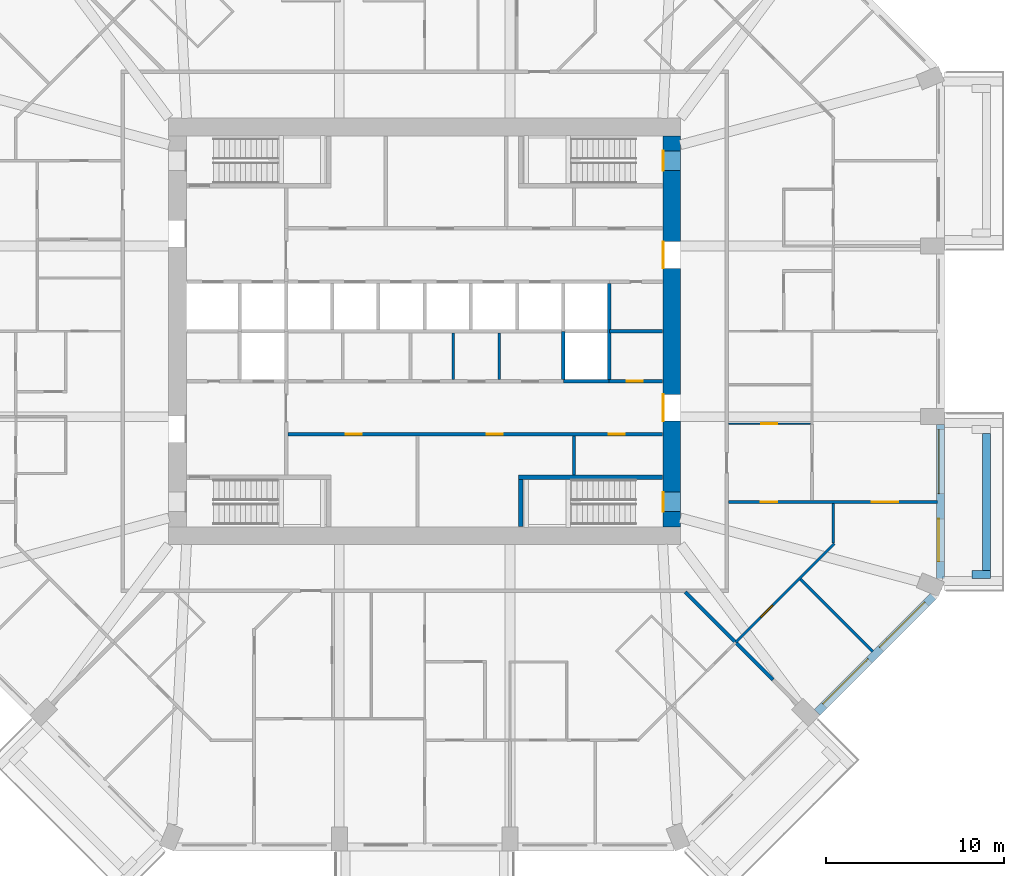
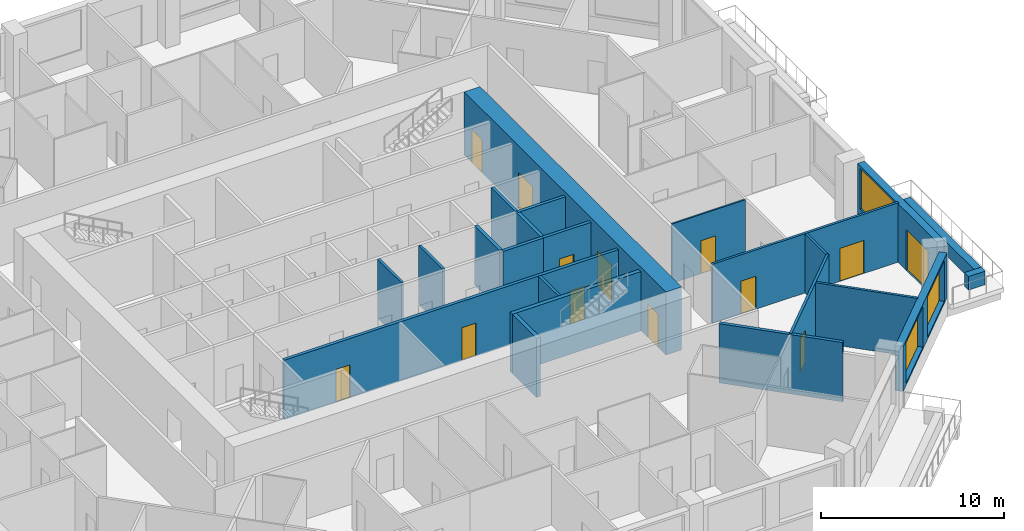
# One storey, part 6 of 13: 22 walls, 13 doors, 3 windows, 16 openings.
"""IFC4 building model written with IfcOpenShell, lengths in metres."""

import ifcopenshell
import ifcopenshell.guid

model = None  # the IFC model being written
_history = None  # IfcOwnerHistory: only IFC2X3 demands one
_inside = {}  # id of a spatial element -> (the spatial element, [elements in it])
_under = {}  # id of a project, library or spatial element -> (it, [spatial elements below it])
_declared = {}  # id of a project -> (the project, [libraries it declares])
_typed = {}  # id of a type object -> (the type object, [elements of that type])
_made_of = {}  # id of a material, layer set ... -> (it, [elements and type objects made of it])


def new_model(schema):
    """Start an empty IFC model of exactly this schema.

    Asked for "IFC4X3", IfcOpenShell would pick the latest addendum, in which some entities
    have other attributes; the version numbers below select the first issue.
    IFC2X3 requires an IfcOwnerHistory on every rooted entity: one is made here for all.
    """
    global model, _history
    if schema == "IFC4X3":
        model = ifcopenshell.file(schema_version=(4, 3, 0, 0))
    else:
        model = ifcopenshell.file(schema=schema)
    _inside.clear()
    _under.clear()
    _declared.clear()
    _typed.clear()
    _made_of.clear()
    _history = None
    if model.schema == "IFC2X3":
        org = make("IfcOrganization", Name="unknown")
        user = make(
            "IfcPersonAndOrganization",
            ThePerson=make("IfcPerson", FamilyName="unknown"),
            TheOrganization=org,
        )
        app = make(
            "IfcApplication",
            ApplicationDeveloper=org,
            Version="unknown",
            ApplicationFullName="unknown",
            ApplicationIdentifier="unknown",
        )
        _history = make(
            "IfcOwnerHistory",
            OwningUser=user,
            OwningApplication=app,
            ChangeAction="ADDED",
            CreationDate=0,
        )
    return model


def make(cls, **values):
    """One entity of the class cls with the attributes given. An attribute that is None is left unset."""
    return model.create_entity(
        cls, **{name: value for name, value in values.items() if value is not None}
    )


def rooted(cls, **values):
    """An entity with a GlobalId (a new one), such as an element, a storey or a relation."""
    return make(cls, GlobalId=ifcopenshell.guid.new(), OwnerHistory=_history, **values)


def si_unit(unit_type, name, prefix=None):
    """IfcSIUnit, for example si_unit("LENGTHUNIT", "METRE", prefix="MILLI")."""
    return make("IfcSIUnit", UnitType=unit_type, Prefix=prefix, Name=name)


def assignment(units):
    """IfcUnitAssignment: the units of a project."""
    return None if units is None else make("IfcUnitAssignment", Units=units)


def point(xyz):
    """IfcCartesianPoint."""
    return None if xyz is None else make("IfcCartesianPoint", Coordinates=xyz)


def direction(xyz):
    """IfcDirection."""
    return None if xyz is None else make("IfcDirection", DirectionRatios=xyz)


def frame(location, z_axis=None, x_axis=None):
    """IfcAxis2Placement3D, a coordinate frame: its origin and axes. An axis left out is left unset."""
    return make(
        "IfcAxis2Placement3D",
        Location=point(location),
        Axis=direction(z_axis),
        RefDirection=direction(x_axis),
    )


def frame_2d(location, x_axis=None):
    """IfcAxis2Placement2D, a coordinate frame in the plane: its origin and x axis."""
    return make(
        "IfcAxis2Placement2D", Location=point(location), RefDirection=direction(x_axis)
    )


def origin():
    """The frame at (0, 0, 0) with its axes left unset."""
    return frame((0.0, 0.0, 0.0))


def place(relative_to, where):
    """IfcLocalPlacement: puts the frame where relative to a parent placement (None: the world)."""
    return make(
        "IfcLocalPlacement", PlacementRelTo=relative_to, RelativePlacement=where
    )


def context(
    kind, dimensions, precision=None, world=None, true_north=None, identifier=None
):
    """IfcGeometricRepresentationContext, for example the 3D "Model" context."""
    return make(
        "IfcGeometricRepresentationContext",
        ContextIdentifier=identifier,
        ContextType=kind,
        CoordinateSpaceDimension=dimensions,
        Precision=precision,
        WorldCoordinateSystem=world,
        TrueNorth=true_north,
    )


def subcontext(parent, identifier, kind, view, scale=None):
    """IfcGeometricRepresentationSubContext, for example "Body" below "Model"."""
    return make(
        "IfcGeometricRepresentationSubContext",
        ContextIdentifier=identifier,
        ContextType=kind,
        ParentContext=parent,
        TargetScale=scale,
        TargetView=view,
    )


def project(units=None, contexts=None):
    """IfcProject with its units and contexts."""
    return rooted(
        "IfcProject",
        Name="project",
        RepresentationContexts=contexts,
        UnitsInContext=assignment(units),
    )


def spatial(cls, under=None, at=None, **own):
    """A site, building, storey or space (cls), placed at a placement, below another one or the project."""
    s = rooted(cls, ObjectPlacement=at, **own)
    if under is not None:
        _under.setdefault(under.id(), (under, []))[1].append(s)
    return s


def profile(cls, at=None, kind="AREA", **sizes):
    """A parametric profile (cls). Its sizes go by their IFC names, for example OverallWidth=200.0."""
    return make(cls, ProfileType=kind, Position=at, **sizes)


def rectangle(**sizes):
    """IfcRectangleProfileDef."""
    return profile("IfcRectangleProfileDef", **sizes)


def extrude(swept, where, along, depth):
    """IfcExtrudedAreaSolid: the profile swept, set in the frame where, extruded along a direction by depth."""
    return make(
        "IfcExtrudedAreaSolid",
        SweptArea=swept,
        Position=where,
        ExtrudedDirection=direction(along),
        Depth=depth,
    )


def shape(context_of_items, identifier, shape_type, items):
    """IfcShapeRepresentation: the items that make up one representation, for example the "Body"."""
    return make(
        "IfcShapeRepresentation",
        ContextOfItems=context_of_items,
        RepresentationIdentifier=identifier,
        RepresentationType=shape_type,
        Items=items,
    )


def material(Name=None, Category=None):
    """IfcMaterial."""
    return make("IfcMaterial", Name=Name, Category=Category)


def layer(
    of_material, thickness, ventilated=None, Name=None, Category=None, Priority=None
):
    """IfcMaterialLayer: one layer of a wall or slab, of a material (None: an air gap)."""
    return make(
        "IfcMaterialLayer",
        Material=of_material,
        LayerThickness=thickness,
        IsVentilated=ventilated,
        Name=Name,
        Category=Category,
        Priority=Priority,
    )


def layer_set(layers, Name=None):
    """IfcMaterialLayerSet."""
    return make("IfcMaterialLayerSet", MaterialLayers=layers, LayerSetName=Name)


def made_of(thing, what):
    """Note that an element or type object is made of a material, layer set ...; save() writes the relation."""
    if what is not None:
        _made_of.setdefault(what.id(), (what, []))[1].append(thing)
    return thing


def type_object(cls, material=None, **own):
    """A type object (cls), such as IfcWallType, which elements share."""
    return made_of(rooted(cls, **own), material)


def element(
    cls,
    number,
    at=None,
    inside=None,
    cuts=None,
    type_object=None,
    material=None,
    context=None,
    identifier="Body",
    shape_type=None,
    held_by="IfcProductDefinitionShape",
    body=None,
    shapes=None,
    **own,
):
    """One element of the class cls, such as IfcWall. Its Tag is "e" and its number.

    at: its placement. inside: the storey or other place that contains it. cuts: it is an
    opening in that element (IfcRelVoidsElement). A single representation is given by context,
    identifier, shape_type and body (its items); several are given by shapes. held_by: the class
    of the entity that holds the representations. save() writes the other relations.
    """
    e = rooted(cls, Tag="e%d" % number, ObjectPlacement=at, **own)
    if body is not None:
        shapes = [shape(context, identifier, shape_type, body)]
    if shapes is not None:
        e.Representation = make(held_by, Representations=shapes)
    if inside is not None:
        _inside.setdefault(inside.id(), (inside, []))[1].append(e)
    if cuts is not None:
        rooted(
            "IfcRelVoidsElement", RelatingBuildingElement=cuts, RelatedOpeningElement=e
        )
    if type_object is not None:
        _typed.setdefault(type_object.id(), (type_object, []))[1].append(e)
    return made_of(e, material)


def fill(opening, filler):
    """IfcRelFillsElement: the door or window that sits in an opening."""
    return rooted(
        "IfcRelFillsElement",
        RelatingOpeningElement=opening,
        RelatedBuildingElement=filler,
    )


def aggregate(whole, parts):
    """IfcRelAggregates: a whole, such as a stair, and the parts it consists of."""
    return rooted("IfcRelAggregates", RelatingObject=whole, RelatedObjects=parts)


def save(model, path):
    """Write the relations noted so far, then the file.

    IfcRelAggregates (storeys below a building ...), IfcRelContainedInSpatialStructure (elements
    in a storey), IfcRelDefinesByType, IfcRelAssociatesMaterial and IfcRelDeclares: one each for
    every whole, place, type object, material and project.
    """
    for whole, parts in _under.values():
        aggregate(whole, parts)
    for where, things in _inside.values():
        rooted(
            "IfcRelContainedInSpatialStructure",
            RelatedElements=things,
            RelatingStructure=where,
        )
    for kind, things in _typed.values():
        rooted("IfcRelDefinesByType", RelatedObjects=things, RelatingType=kind)
    for what, things in _made_of.values():
        rooted("IfcRelAssociatesMaterial", RelatedObjects=things, RelatingMaterial=what)
    for by, libraries in _declared.values():
        rooted("IfcRelDeclares", RelatingContext=by, RelatedDefinitions=libraries)
    model.write(path)


model = new_model("IFC4")

# Units and contexts
model_context = context("Model", 3, precision=1e-05, world=origin(), true_north=direction((0.0, 1.0)))
body_context = subcontext(model_context, "Body", "Model", "MODEL_VIEW")
ifc_project = project(units=[si_unit("LENGTHUNIT", "METRE"), si_unit("AREAUNIT", "SQUARE_METRE"), si_unit("VOLUMEUNIT", "CUBIC_METRE"), si_unit("PLANEANGLEUNIT", "RADIAN"), si_unit("MASSUNIT", "GRAM", prefix="KILO")], contexts=[model_context])

# Site, building, storey
site_placement = place(None, origin())
site = spatial("IfcSite", under=ifc_project, at=site_placement, CompositionType="ELEMENT")
building_placement = place(site_placement, origin())
building = spatial("IfcBuilding", under=site, at=building_placement, Name="Msitu Wima Residences", CompositionType="ELEMENT")
storey_placement = place(building_placement, frame((0.0, 0.0, 29.699951171875)))
storey = spatial("IfcBuildingStorey", under=building, at=storey_placement, Name="L06", CompositionType="ELEMENT", Elevation=29.699951171875)

# Walls
ifc_material_1 = material(Name="Facing brick")
ifc_layer_1 = layer(ifc_material_1, 0.06494140625, Name="Facing brick")
ifc_material_2 = material(Name="Concrete C40/50", Category="concrete")
ifc_layer_2 = layer(ifc_material_2, 0.156005859375, Name="Concrete C40/50")
ifc_material_3 = material(Name="Waterproofing membrane")
ifc_layer_3 = layer(ifc_material_3, 0.00390625, Name="Waterproofing membrane")
ifc_material_4 = material(Name="Planting soil and planting")
ifc_layer_4 = layer(ifc_material_4, 0.22509765625, Name="Planting soil and planting")
ifc_layer_set_1 = layer_set([ifc_layer_1, ifc_layer_2, ifc_layer_3, ifc_layer_4], Name="Concrete C40/50")
wall_type_1 = type_object("IfcWallType", Name="Balcony planter PLANTER PL450", PredefinedType="USERDEFINED", material=ifc_layer_set_1)
wall_1_placement = place(storey_placement, frame((31.625, -13.449951171875, 0.0), z_axis=(0.0, 0.0, 1.0), x_axis=(0.0, 1.0, 0.0)))
element("IfcWall", 1, at=wall_1_placement, inside=storey, type_object=wall_type_1, Name="Balcony planter E0 L06", ObjectType="PLANTER", PredefinedType="USERDEFINED", context=body_context, shape_type="SweptSolid", body=[
    extrude(rectangle(XDim=7.699951171875, YDim=0.449951171875, at=frame_2d((3.85009765625, 0.0))), origin(), (0.0, 0.0, 1.0), 0.900146484375),
])
wall_2_placement = place(storey_placement, frame((30.800048828125, -13.675048828125, 0.0), z_axis=(0.0, 0.0, 1.0), x_axis=(1.0, 0.0, 0.0)))
element("IfcWall", 2, at=wall_2_placement, inside=storey, type_object=wall_type_1, Name="Balcony planter E0 L06", ObjectType="PLANTER", PredefinedType="USERDEFINED", context=body_context, shape_type="SweptSolid", body=[
    extrude(rectangle(XDim=1.050048828125, YDim=0.449951171875, at=frame_2d((0.52490234375, 0.0))), origin(), (0.0, 0.0, 1.0), 0.900146484375),
])

# Wall, openings, door, window
ifc_material_5 = material(Name="Brick (red buff mix)", Category="masonry")
ifc_layer_5 = layer(ifc_material_5, 0.449951171875)
ifc_layer_set_2 = layer_set([ifc_layer_5], Name="Brick (red buff mix)")
wall_type_2 = type_object("IfcWallType", Name="Brick infill wall BW450", PredefinedType="SOLIDWALL", material=ifc_layer_set_2)
wall_3_placement = place(storey_placement, frame((29.02490234375, -13.912841796875, 0.0), z_axis=(0.0, 0.0, 1.0), x_axis=(0.0, 1.0, 0.0)))
wall_3 = element("IfcWall", 3, at=wall_3_placement, inside=storey, type_object=wall_type_2, Name="Brick infill wall L06 E0", PredefinedType="SOLIDWALL", context=body_context, shape_type="SweptSolid", body=[
    extrude(rectangle(XDim=8.662841796875, YDim=0.449951171875, at=frame_2d((4.33154296875, 0.0))), origin(), (0.0, 0.0, 1.0), 3.900146484375),
])
opening_1_placement = place(wall_3_placement, frame((0.9658203125, 0.0, 0.0)))
opening_1 = element("IfcOpeningElement", 4, at=opening_1_placement, cuts=wall_3, Name="Opening D05-07.001", PredefinedType="OPENING", context=body_context, shape_type="SweptSolid", body=[
    extrude(rectangle(XDim=2.39990234375, YDim=2.699951171875, at=frame_2d((1.199951171875, 1.35009765625))), frame((0.0, 0.23486328125, 0.0), z_axis=(0.0, -1.0, 0.0), x_axis=(1.0, 0.0, 0.0)), (0.0, 0.0, 1.0), 0.469970703125),
])
opening_2_placement = place(wall_3_placement, frame((4.781494140625, 0.0, 1.050048828125)))
opening_2 = element("IfcOpeningElement", 5, at=opening_2_placement, cuts=wall_3, Name="Opening W05-07.001", PredefinedType="OPENING", context=body_context, shape_type="SweptSolid", body=[
    extrude(rectangle(XDim=3.60009765625, YDim=2.699951171875, at=frame_2d((1.800048828125, 1.35009765625))), frame((0.0, 0.23486328125, 0.0), z_axis=(0.0, -1.0, 0.0), x_axis=(1.0, 0.0, 0.0)), (0.0, 0.0, 1.0), 0.469970703125),
])
ifc_material_6 = material(Name="Anodised aluminium, bronze finish, clear low-emissivity double glazing", Category="aluminium")
door_type_1 = type_object("IfcDoorType", Name="Balcony door D2400x2700", OperationType="SLIDING_TO_LEFT", PredefinedType="DOOR", material=ifc_material_6)
door_1_placement = place(opening_1_placement, origin())
door_1 = element("IfcDoor", 6, at=door_1_placement, inside=storey, type_object=door_type_1, Name="Balcony door L06 E0", OperationType="SINGLE_SWING_LEFT", OverallHeight=2.699951171875, OverallWidth=2.39990234375, PredefinedType="DOOR", context=body_context, shape_type="SweptSolid", body=[
    extrude(rectangle(XDim=2.39990234375, YDim=2.699951171875, at=frame_2d((1.199951171875, 1.35009765625))), frame((0.0, 0.1298828125, 0.0), z_axis=(0.0, -1.0, 0.0), x_axis=(1.0, 0.0, 0.0)), (0.0, 0.0, 1.0), 0.050048828125),
])
fill(opening_1, door_1)
window_type = type_object("IfcWindowType", Name="Window W3600x2700", PartitioningType="DOUBLE_PANEL_VERTICAL", PredefinedType="WINDOW", material=ifc_material_6)
window_1_placement = place(opening_2_placement, origin())
window_1 = element("IfcWindow", 7, at=window_1_placement, inside=storey, type_object=window_type, Name="Window L06 E0.2", OverallHeight=2.699951171875, OverallWidth=3.60009765625, PartitioningType="SINGLE_PANEL", PredefinedType="WINDOW", context=body_context, shape_type="SweptSolid", body=[
    extrude(rectangle(XDim=3.60009765625, YDim=2.699951171875, at=frame_2d((1.800048828125, 1.35009765625))), frame((0.0, 0.135009765625, 0.0), z_axis=(0.0, -1.0, 0.0), x_axis=(1.0, 0.0, 0.0)), (0.0, 0.0, 1.0), 0.06005859375),
])
fill(opening_2, window_1)

# Wall, openings, windows
wall_4_placement = place(storey_placement, frame((22.077392578125, -21.44091796875, 0.900146484375), z_axis=(0.0, 0.0, 1.0), x_axis=(0.707106781187, 0.707106781187, 0.0)))
wall_4 = element("IfcWall", 8, at=wall_4_placement, inside=storey, type_object=wall_type_2, Name="Brick infill wall L06 SE1", PredefinedType="SOLIDWALL", context=body_context, shape_type="SweptSolid", body=[
    extrude(rectangle(XDim=9.2451171875, YDim=0.449951171875, at=frame_2d((4.62255859375, 0.0))), origin(), (0.0, 0.0, 1.0), 3.0),
])
opening_3_placement = place(wall_4_placement, frame((0.572509765625, 0.0, 0.14990234375)))
opening_3 = element("IfcOpeningElement", 9, at=opening_3_placement, cuts=wall_4, Name="Opening W05-07.022", PredefinedType="OPENING", context=body_context, shape_type="SweptSolid", body=[
    extrude(rectangle(XDim=3.60009765625, YDim=2.699951171875, at=frame_2d((1.800048828125, 1.35009765625))), frame((0.0, 0.23486328125, 0.0), z_axis=(0.0, -1.0, 0.0), x_axis=(1.0, 0.0, 0.0)), (0.0, 0.0, 1.0), 0.469970703125),
])
opening_4_placement = place(wall_4_placement, frame((5.072509765625, 0.0, 0.14990234375)))
opening_4 = element("IfcOpeningElement", 10, at=opening_4_placement, cuts=wall_4, Name="Opening W05-07.023", PredefinedType="OPENING", context=body_context, shape_type="SweptSolid", body=[
    extrude(rectangle(XDim=3.60009765625, YDim=2.699951171875, at=frame_2d((1.800048828125, 1.35009765625))), frame((0.0, 0.23486328125, 0.0), z_axis=(0.0, -1.0, 0.0), x_axis=(1.0, 0.0, 0.0)), (0.0, 0.0, 1.0), 0.469970703125),
])
window_2_placement = place(opening_3_placement, origin())
window_2 = element("IfcWindow", 11, at=window_2_placement, inside=storey, type_object=window_type, Name="Window L06 SE1.1", OverallHeight=2.699951171875, OverallWidth=3.60009765625, PartitioningType="SINGLE_PANEL", PredefinedType="WINDOW", context=body_context, shape_type="SweptSolid", body=[
    extrude(rectangle(XDim=3.60009765625, YDim=2.699951171875, at=frame_2d((1.800048828125, 1.35009765625))), frame((0.0, 0.135009765625, 0.0), z_axis=(0.0, -1.0, 0.0), x_axis=(1.0, 0.0, 0.0)), (0.0, 0.0, 1.0), 0.06005859375),
])
fill(opening_3, window_2)
window_3_placement = place(opening_4_placement, origin())
window_3 = element("IfcWindow", 12, at=window_3_placement, inside=storey, type_object=window_type, Name="Window L06 SE1.2", OverallHeight=2.699951171875, OverallWidth=3.60009765625, PartitioningType="SINGLE_PANEL", PredefinedType="WINDOW", context=body_context, shape_type="SweptSolid", body=[
    extrude(rectangle(XDim=3.60009765625, YDim=2.699951171875, at=frame_2d((1.800048828125, 1.35009765625))), frame((0.0, 0.135009765625, 0.0), z_axis=(0.0, -1.0, 0.0), x_axis=(1.0, 0.0, 0.0)), (0.0, 0.0, 1.0), 0.06005859375),
])
fill(opening_4, window_3)

# Wall, openings, doors
ifc_material_7 = material(Name="Concrete C80/95", Category="concrete")
ifc_layer_6 = layer(ifc_material_7, 1.0)
ifc_layer_set_3 = layer_set([ifc_layer_6], Name="Concrete C80/95")
wall_type_3 = type_object("IfcWallType", Name="Core wall CW1000 C80/95", PredefinedType="SHEAR", material=ifc_layer_set_3)
wall_5_placement = place(storey_placement, frame((13.89990234375, -11.0, 0.0), z_axis=(0.0, 0.0, 1.0), x_axis=(0.0, 1.0, 0.0)))
wall_5 = element("IfcWall", 13, at=wall_5_placement, inside=storey, type_object=wall_type_3, Name="Core wall", PredefinedType="SHEAR", context=body_context, shape_type="SweptSolid", body=[
    extrude(rectangle(XDim=22.0, YDim=1.0, at=frame_2d((11.0, 0.0))), origin(), (0.0, 0.0, 1.0), 4.199951171875),
])
opening_5_placement = place(wall_5_placement, frame((20.050048828125, 0.0, 0.0)))
opening_5 = element("IfcOpeningElement", 14, at=opening_5_placement, cuts=wall_5, Name="Opening D05-07.040", PredefinedType="OPENING", context=body_context, shape_type="SweptSolid", body=[
    extrude(rectangle(XDim=1.10009765625, YDim=2.199951171875, at=frame_2d((0.550048828125, 1.10009765625))), frame((0.0, 0.510009765625, 0.0), z_axis=(0.0, -1.0, 0.0), x_axis=(1.0, 0.0, 0.0)), (0.0, 0.0, 1.0), 1.02001953125),
])
opening_6_placement = place(wall_5_placement, frame((0.85009765625, 0.0, 0.0)))
opening_6 = element("IfcOpeningElement", 15, at=opening_6_placement, cuts=wall_5, Name="Opening D05-07.041", PredefinedType="OPENING", context=body_context, shape_type="SweptSolid", body=[
    extrude(rectangle(XDim=1.10009765625, YDim=2.199951171875, at=frame_2d((0.550048828125, 1.10009765625))), frame((0.0, 0.510009765625, 0.0), z_axis=(0.0, -1.0, 0.0), x_axis=(1.0, 0.0, 0.0)), (0.0, 0.0, 1.0), 1.02001953125),
])
opening_7_placement = place(wall_5_placement, frame((14.550048828125, 0.0, 0.0)))
opening_7 = element("IfcOpeningElement", 16, at=opening_7_placement, cuts=wall_5, Name="Opening D05-07.027", PredefinedType="OPENING", context=body_context, shape_type="SweptSolid", body=[
    extrude(rectangle(XDim=1.5, YDim=2.39990234375, at=frame_2d((0.75, 1.199951171875))), frame((0.0, 0.510009765625, 0.0), z_axis=(0.0, -1.0, 0.0), x_axis=(1.0, 0.0, 0.0)), (0.0, 0.0, 1.0), 1.02001953125),
])
opening_8_placement = place(wall_5_placement, frame((5.949951171875, 0.0, 0.0)))
opening_8 = element("IfcOpeningElement", 17, at=opening_8_placement, cuts=wall_5, Name="Opening D05-07.028", PredefinedType="OPENING", context=body_context, shape_type="SweptSolid", body=[
    extrude(rectangle(XDim=1.5, YDim=2.39990234375, at=frame_2d((0.75, 1.199951171875))), frame((0.0, 0.510009765625, 0.0), z_axis=(0.0, -1.0, 0.0), x_axis=(1.0, 0.0, 0.0)), (0.0, 0.0, 1.0), 1.02001953125),
])
ifc_material_8 = material(Name="Steel framed glazed door, fire resisting", Category="steel")
door_type_2 = type_object("IfcDoorType", Name="Lobby door D07 1500x2400", OperationType="DOUBLE_DOOR_SINGLE_SWING", PredefinedType="DOOR", material=ifc_material_8)
door_2_placement = place(opening_7_placement, origin())
door_2 = element("IfcDoor", 18, at=door_2_placement, inside=storey, type_object=door_type_2, Name="Lobby door", OperationType="DOUBLE_DOOR_SINGLE_SWING", OverallHeight=2.39990234375, OverallWidth=1.5, PredefinedType="DOOR", context=body_context, shape_type="SweptSolid", body=[
    extrude(rectangle(XDim=1.5, YDim=2.39990234375, at=frame_2d((0.75, 1.199951171875))), frame((0.0, 0.4951171875, 0.0), z_axis=(0.0, -1.0, 0.0), x_axis=(1.0, 0.0, 0.0)), (0.0, 0.0, 1.0), 0.050048828125),
])
fill(opening_7, door_2)
door_3_placement = place(opening_8_placement, origin())
door_3 = element("IfcDoor", 19, at=door_3_placement, inside=storey, type_object=door_type_2, Name="Lobby door", OperationType="DOUBLE_DOOR_SINGLE_SWING", OverallHeight=2.39990234375, OverallWidth=1.5, PredefinedType="DOOR", context=body_context, shape_type="SweptSolid", body=[
    extrude(rectangle(XDim=1.5, YDim=2.39990234375, at=frame_2d((0.75, 1.199951171875))), frame((0.0, 0.4951171875, 0.0), z_axis=(0.0, -1.0, 0.0), x_axis=(1.0, 0.0, 0.0)), (0.0, 0.0, 1.0), 0.050048828125),
])
fill(opening_8, door_3)
ifc_material_9 = material(Name="Steel door, fire resisting, panic bar", Category="steel")
door_type_3 = type_object("IfcDoorType", Name="Stair door D06 1100x2200", OperationType="SINGLE_SWING_LEFT", PredefinedType="DOOR", material=ifc_material_9)
door_4_placement = place(opening_5_placement, origin())
door_4 = element("IfcDoor", 20, at=door_4_placement, inside=storey, type_object=door_type_3, Name="Stair door", OperationType="SINGLE_SWING_LEFT", OverallHeight=2.199951171875, OverallWidth=1.10009765625, PredefinedType="DOOR", context=body_context, shape_type="SweptSolid", body=[
    extrude(rectangle(XDim=1.10009765625, YDim=2.199951171875, at=frame_2d((0.550048828125, 1.10009765625))), frame((0.0, 0.4951171875, 0.0), z_axis=(0.0, -1.0, 0.0), x_axis=(1.0, 0.0, 0.0)), (0.0, 0.0, 1.0), 0.050048828125),
])
fill(opening_5, door_4)
door_5_placement = place(opening_6_placement, origin())
door_5 = element("IfcDoor", 21, at=door_5_placement, inside=storey, type_object=door_type_3, Name="Stair door", OperationType="SINGLE_SWING_RIGHT", OverallHeight=2.199951171875, OverallWidth=1.10009765625, PredefinedType="DOOR", context=body_context, shape_type="SweptSolid", body=[
    extrude(rectangle(XDim=1.10009765625, YDim=2.199951171875, at=frame_2d((0.550048828125, 1.10009765625))), frame((0.0, 0.4951171875, 0.0), z_axis=(0.0, -1.0, 0.0), x_axis=(1.0, 0.0, 0.0)), (0.0, 0.0, 1.0), 0.050048828125),
])
fill(opening_6, door_5)

ifc_material_10 = material(Name="Plaster")
ifc_layer_7 = layer(ifc_material_10, 0.011962890625, Name="Plaster")
ifc_material_11 = material(Name="Concrete blockwork", Category="masonry")
ifc_layer_8 = layer(ifc_material_11, 0.176025390625, Name="Concrete blockwork")
ifc_layer_9 = layer(ifc_material_10, 0.011962890625, Name="Plaster")
ifc_layer_set_4 = layer_set([ifc_layer_7, ifc_layer_8, ifc_layer_9], Name="Concrete blockwork")
wall_type_4 = type_object("IfcWallType", Name="Corridor wall FW200", PredefinedType="PARTITIONING", material=ifc_layer_set_4)
wall_6_placement = place(storey_placement, frame((-7.699951171875, -5.800048828125, 0.0), z_axis=(0.0, 0.0, 1.0), x_axis=(1.0, 0.0, 0.0)))
wall_6 = element("IfcWall", 22, at=wall_6_placement, inside=storey, type_object=wall_type_4, Name="Corridor wall", PredefinedType="PARTITIONING", context=body_context, shape_type="SweptSolid", body=[
    extrude(rectangle(XDim=21.070068359375, YDim=0.199951171875, at=frame_2d((10.53515625, 0.0))), origin(), (0.0, 0.0, 1.0), 3.949951171875),
])
opening_9_placement = place(wall_6_placement, frame((3.25, 0.0, 0.0)))
opening_9 = element("IfcOpeningElement", 23, at=opening_9_placement, cuts=wall_6, Name="Opening D05-07.024", PredefinedType="OPENING", context=body_context, shape_type="SweptSolid", body=[
    extrude(rectangle(XDim=0.89990234375, YDim=2.199951171875, at=frame_2d((0.449951171875, 1.10009765625))), frame((0.0, 0.10986328125, 0.0), z_axis=(0.0, -1.0, 0.0), x_axis=(1.0, 0.0, 0.0)), (0.0, 0.0, 1.0), 0.219970703125),
])
opening_10_placement = place(wall_6_placement, frame((11.199951171875, 0.0, 0.0)))
opening_10 = element("IfcOpeningElement", 24, at=opening_10_placement, cuts=wall_6, Name="Opening D05-07.025", PredefinedType="OPENING", context=body_context, shape_type="SweptSolid", body=[
    extrude(rectangle(XDim=0.89990234375, YDim=2.199951171875, at=frame_2d((0.449951171875, 1.10009765625))), frame((0.0, 0.10986328125, 0.0), z_axis=(0.0, -1.0, 0.0), x_axis=(1.0, 0.0, 0.0)), (0.0, 0.0, 1.0), 0.219970703125),
])
opening_11_placement = place(wall_6_placement, frame((18.050048828125, 0.0, 0.0)))
opening_11 = element("IfcOpeningElement", 25, at=opening_11_placement, cuts=wall_6, Name="Opening D05-07.026", PredefinedType="OPENING", context=body_context, shape_type="SweptSolid", body=[
    extrude(rectangle(XDim=0.89990234375, YDim=2.199951171875, at=frame_2d((0.449951171875, 1.10009765625))), frame((0.0, 0.10986328125, 0.0), z_axis=(0.0, -1.0, 0.0), x_axis=(1.0, 0.0, 0.0)), (0.0, 0.0, 1.0), 0.219970703125),
])
ifc_material_12 = material(Name="Timber flush door", Category="wood")
door_type_4 = type_object("IfcDoorType", Name="Service door D05 900x2200", OperationType="SINGLE_SWING_LEFT", PredefinedType="DOOR", material=ifc_material_12)
door_6_placement = place(opening_9_placement, origin())
door_6 = element("IfcDoor", 26, at=door_6_placement, inside=storey, type_object=door_type_4, Name="Service door", OperationType="SINGLE_SWING_RIGHT", OverallHeight=2.199951171875, OverallWidth=0.89990234375, PredefinedType="DOOR", context=body_context, shape_type="SweptSolid", body=[
    extrude(rectangle(XDim=0.89990234375, YDim=2.199951171875, at=frame_2d((0.449951171875, 1.10009765625))), frame((0.0, 0.02490234375, 0.0), z_axis=(0.0, -1.0, 0.0), x_axis=(1.0, 0.0, 0.0)), (0.0, 0.0, 1.0), 0.050048828125),
])
fill(opening_9, door_6)
door_7_placement = place(opening_10_placement, origin())
door_7 = element("IfcDoor", 27, at=door_7_placement, inside=storey, type_object=door_type_4, Name="Service door", OperationType="SINGLE_SWING_LEFT", OverallHeight=2.199951171875, OverallWidth=0.89990234375, PredefinedType="DOOR", context=body_context, shape_type="SweptSolid", body=[
    extrude(rectangle(XDim=0.89990234375, YDim=2.199951171875, at=frame_2d((0.449951171875, 1.10009765625))), frame((0.0, 0.02490234375, 0.0), z_axis=(0.0, -1.0, 0.0), x_axis=(1.0, 0.0, 0.0)), (0.0, 0.0, 1.0), 0.050048828125),
])
fill(opening_10, door_7)
door_8_placement = place(opening_11_placement, origin())
door_8 = element("IfcDoor", 28, at=door_8_placement, inside=storey, type_object=door_type_4, Name="Service door", OperationType="SINGLE_SWING_RIGHT", OverallHeight=2.199951171875, OverallWidth=0.89990234375, PredefinedType="DOOR", context=body_context, shape_type="SweptSolid", body=[
    extrude(rectangle(XDim=0.89990234375, YDim=2.199951171875, at=frame_2d((0.449951171875, 1.10009765625))), frame((0.0, 0.02490234375, 0.0), z_axis=(0.0, -1.0, 0.0), x_axis=(1.0, 0.0, 0.0)), (0.0, 0.0, 1.0), 0.050048828125),
])
fill(opening_11, door_8)

# Walls
ifc_layer_10 = layer(ifc_material_10, 0.011962890625, Name="Plaster")
ifc_layer_11 = layer(ifc_material_11, 0.1259765625, Name="Concrete blockwork")
ifc_layer_12 = layer(ifc_material_10, 0.011962890625, Name="Plaster")
ifc_layer_set_5 = layer_set([ifc_layer_10, ifc_layer_11, ifc_layer_12], Name="Concrete blockwork")
wall_type_5 = type_object("IfcWallType", Name="Partition PW150", PredefinedType="PARTITIONING", material=ifc_layer_set_5)
for number, where, z_axis, x_axis, name in (
    (29, (1.60009765625, -2.699951171875, 0.0), (0.0, 0.0, 1.0), (0.0, 1.0, 0.0), "Partition"),
    (30, (4.199951171875, -2.699951171875, 0.0), (0.0, 0.0, 1.0), (0.0, 1.0, 0.0), "Partition"),
):
    element("IfcWall", number, at=place(storey_placement, frame(where, z_axis=z_axis, x_axis=x_axis)), inside=storey, type_object=wall_type_5, Name=name, PredefinedType="PARTITIONING", context=body_context, shape_type="SweptSolid", body=[
        extrude(rectangle(XDim=2.599853515625, YDim=0.14990234375, at=frame_2d((1.2998046875, 0.0))), origin(), (0.0, 0.0, 1.0), 3.949951171875),
    ])
wall_7_placement = place(storey_placement, frame((8.39990234375, -8.074951171875, 0.0), z_axis=(0.0, 0.0, 1.0), x_axis=(0.0, 1.0, 0.0)))
element("IfcWall", 31, at=wall_7_placement, inside=storey, type_object=wall_type_5, Name="Partition", PredefinedType="PARTITIONING", context=body_context, shape_type="SweptSolid", body=[
    extrude(rectangle(XDim=2.175048828125, YDim=0.14990234375, at=frame_2d((1.08740234375, 0.0))), origin(), (0.0, 0.0, 1.0), 3.949951171875),
])

# Wall, openings, doors
wall_8_placement = place(storey_placement, frame((17.10009765625, -9.60009765625, 0.0), z_axis=(0.0, 0.0, 1.0), x_axis=(1.0, 0.0, 0.0)))
wall_8 = element("IfcWall", 32, at=wall_8_placement, inside=storey, type_object=wall_type_5, Name="Partition", PredefinedType="PARTITIONING", context=body_context, shape_type="SweptSolid", body=[
    extrude(rectangle(XDim=11.7548828125, YDim=0.14990234375, at=frame_2d((5.87744140625, 0.0))), origin(), (0.0, 0.0, 1.0), 3.949951171875),
])
opening_12_placement = place(wall_8_placement, frame((1.800048828125, 0.0, 0.0)))
opening_12 = element("IfcOpeningElement", 33, at=opening_12_placement, cuts=wall_8, Name="Opening D05-07.042", PredefinedType="OPENING", context=body_context, shape_type="SweptSolid", body=[
    extrude(rectangle(XDim=0.949951171875, YDim=2.199951171875, at=frame_2d((0.47509765625, 1.10009765625))), frame((0.0, 0.0849609375, 0.0), z_axis=(0.0, -1.0, 0.0), x_axis=(1.0, 0.0, 0.0)), (0.0, 0.0, 1.0), 0.169921875),
])
opening_13_placement = place(wall_8_placement, frame((8.050048828125, 0.0, 0.0)))
opening_13 = element("IfcOpeningElement", 34, at=opening_13_placement, cuts=wall_8, Name="Opening D05-07.095", PredefinedType="OPENING", context=body_context, shape_type="SweptSolid", body=[
    extrude(rectangle(XDim=1.5, YDim=2.199951171875, at=frame_2d((0.75, 1.10009765625))), frame((0.0, 0.0849609375, 0.0), z_axis=(0.0, -1.0, 0.0), x_axis=(1.0, 0.0, 0.0)), (0.0, 0.0, 1.0), 0.169921875),
])
ifc_material_13 = material(Name="Timber double door", Category="wood")
door_type_5 = type_object("IfcDoorType", Name="Double door D04 1500x2200", OperationType="DOUBLE_DOOR_SINGLE_SWING", PredefinedType="DOOR", material=ifc_material_13)
door_9_placement = place(opening_13_placement, origin())
door_9 = element("IfcDoor", 35, at=door_9_placement, inside=storey, type_object=door_type_5, Name="Double door", OperationType="DOUBLE_DOOR_SINGLE_SWING", OverallHeight=2.199951171875, OverallWidth=1.5, PredefinedType="DOOR", context=body_context, shape_type="SweptSolid", body=[
    extrude(rectangle(XDim=1.5, YDim=2.199951171875, at=frame_2d((0.75, 1.10009765625))), frame((0.0, 0.02490234375, 0.0), z_axis=(0.0, -1.0, 0.0), x_axis=(1.0, 0.0, 0.0)), (0.0, 0.0, 1.0), 0.050048828125),
])
fill(opening_13, door_9)
door_type_6 = type_object("IfcDoorType", Name="Room door D12 950x2200", OperationType="SINGLE_SWING_LEFT", PredefinedType="DOOR", material=ifc_material_12)
door_10_placement = place(opening_12_placement, origin())
door_10 = element("IfcDoor", 36, at=door_10_placement, inside=storey, type_object=door_type_6, Name="Room door", OperationType="SINGLE_SWING_RIGHT", OverallHeight=2.199951171875, OverallWidth=0.949951171875, PredefinedType="DOOR", context=body_context, shape_type="SweptSolid", body=[
    extrude(rectangle(XDim=0.949951171875, YDim=2.199951171875, at=frame_2d((0.47509765625, 1.10009765625))), frame((0.0, 0.02490234375, 0.0), z_axis=(0.0, -1.0, 0.0), x_axis=(1.0, 0.0, 0.0)), (0.0, 0.0, 1.0), 0.050048828125),
])
fill(opening_12, door_10)

# Wall, opening, door
wall_9_placement = place(storey_placement, frame((17.498779296875, -17.498779296875, 0.0), z_axis=(0.0, 0.0, 1.0), x_axis=(0.707106781187, 0.707106781187, 0.0)))
wall_9 = element("IfcWall", 37, at=wall_9_placement, inside=storey, type_object=wall_type_5, Name="Partition", PredefinedType="PARTITIONING", context=body_context, shape_type="SweptSolid", body=[
    extrude(rectangle(XDim=7.854736328125, YDim=0.14990234375, at=frame_2d((3.92724609375, 0.0))), origin(), (0.0, 0.0, 1.0), 3.949951171875),
])
opening_14_placement = place(wall_9_placement, frame((2.0, 0.0, 0.0)))
opening_14 = element("IfcOpeningElement", 38, at=opening_14_placement, cuts=wall_9, Name="Opening D05-07.086", PredefinedType="OPENING", context=body_context, shape_type="SweptSolid", body=[
    extrude(rectangle(XDim=0.949951171875, YDim=2.199951171875, at=frame_2d((0.47509765625, 1.10009765625))), frame((0.0, 0.0849609375, 0.0), z_axis=(0.0, -1.0, 0.0), x_axis=(1.0, 0.0, 0.0)), (0.0, 0.0, 1.0), 0.169921875),
])
door_11_placement = place(opening_14_placement, origin())
door_11 = element("IfcDoor", 39, at=door_11_placement, inside=storey, type_object=door_type_6, Name="Room door", OperationType="SINGLE_SWING_RIGHT", OverallHeight=2.199951171875, OverallWidth=0.949951171875, PredefinedType="DOOR", context=body_context, shape_type="SweptSolid", body=[
    extrude(rectangle(XDim=0.949951171875, YDim=2.199951171875, at=frame_2d((0.47509765625, 1.10009765625))), frame((0.0, 0.02490234375, 0.0), z_axis=(0.0, -1.0, 0.0), x_axis=(1.0, 0.0, 0.0)), (0.0, 0.0, 1.0), 0.050048828125),
])
fill(opening_14, door_11)

# Walls
wall_10_placement = place(storey_placement, frame((21.15185546875, -13.951904296875, 0.0), z_axis=(0.0, 0.0, 1.0), x_axis=(0.707128010843, -0.707085550893, 0.0)))
element("IfcWall", 40, at=wall_10_placement, inside=storey, type_object=wall_type_5, Name="Partition", PredefinedType="PARTITIONING", context=body_context, shape_type="SweptSolid", body=[
    extrude(rectangle(XDim=5.75, YDim=0.14990234375, at=frame_2d((2.875, 0.0))), origin(), (0.0, 0.0, 1.0), 3.949951171875),
])
wall_11_placement = place(storey_placement, frame((23.0, -11.922607421875, 0.0), z_axis=(0.0, 0.0, 1.0), x_axis=(0.0, 1.0, 0.0)))
element("IfcWall", 41, at=wall_11_placement, inside=storey, type_object=wall_type_5, Name="Partition", PredefinedType="PARTITIONING", context=body_context, shape_type="SweptSolid", body=[
    extrude(rectangle(XDim=2.24755859375, YDim=0.14990234375, at=frame_2d((1.123779296875, 0.0))), origin(), (0.0, 0.0, 1.0), 3.949951171875),
])
ifc_layer_13 = layer(ifc_material_10, 0.011962890625, Name="Plaster")
ifc_material_14 = material(Name="Dense concrete blockwork", Category="masonry")
ifc_layer_14 = layer(ifc_material_14, 0.176025390625, Name="Dense concrete blockwork")
ifc_layer_15 = layer(ifc_material_10, 0.011962890625, Name="Plaster")
ifc_layer_set_6 = layer_set([ifc_layer_13, ifc_layer_14, ifc_layer_15], Name="Dense concrete blockwork")
wall_type_6 = type_object("IfcWallType", Name="Party wall PW200", PredefinedType="PARTITIONING", material=ifc_layer_set_6)
wall_12_placement = place(storey_placement, frame((14.670654296875, -14.670654296875, 0.0), z_axis=(0.0, 0.0, 1.0), x_axis=(0.707106781187, -0.707106781187, 0.0)))
element("IfcWall", 42, at=wall_12_placement, inside=storey, type_object=wall_type_6, Name="Party wall", PredefinedType="PARTITIONING", context=body_context, shape_type="SweptSolid", body=[
    extrude(rectangle(XDim=6.979248046875, YDim=0.199951171875, at=frame_2d((3.48974609375, 0.0))), origin(), (0.0, 0.0, 1.0), 3.949951171875),
])

# Wall, opening, door
ifc_layer_16 = layer(ifc_material_10, 0.011962890625, Name="Plaster")
ifc_material_15 = material(Name="Reinforced concrete blockwork", Category="masonry")
ifc_layer_17 = layer(ifc_material_15, 0.176025390625, Name="Reinforced concrete blockwork")
ifc_layer_18 = layer(ifc_material_10, 0.011962890625, Name="Plaster")
ifc_layer_set_7 = layer_set([ifc_layer_16, ifc_layer_17, ifc_layer_18], Name="Reinforced concrete blockwork")
wall_type_7 = type_object("IfcWallType", Name="Plant and riser wall PL200", PredefinedType="PARTITIONING", material=ifc_layer_set_7)
wall_13_placement = place(storey_placement, frame((10.3798828125, -2.800048828125, 0.0), z_axis=(0.0, 0.0, 1.0), x_axis=(1.0, 0.0, 0.0)))
wall_13 = element("IfcWall", 43, at=wall_13_placement, inside=storey, type_object=wall_type_7, Name="Plant and riser wall", PredefinedType="PARTITIONING", context=body_context, shape_type="SweptSolid", body=[
    extrude(rectangle(XDim=2.990234375, YDim=0.199951171875, at=frame_2d((1.4951171875, 0.0))), origin(), (0.0, 0.0, 1.0), 3.949951171875),
])
opening_15_placement = place(wall_13_placement, frame((1.0, 0.0, 0.0)))
opening_15 = element("IfcOpeningElement", 44, at=opening_15_placement, cuts=wall_13, Name="Opening D05-07.015", PredefinedType="OPENING", context=body_context, shape_type="SweptSolid", body=[
    extrude(rectangle(XDim=0.89990234375, YDim=2.199951171875, at=frame_2d((0.449951171875, 1.10009765625))), frame((0.0, 0.10986328125, 0.0), z_axis=(0.0, -1.0, 0.0), x_axis=(1.0, 0.0, 0.0)), (0.0, 0.0, 1.0), 0.219970703125),
])
door_12_placement = place(opening_15_placement, origin())
door_12 = element("IfcDoor", 45, at=door_12_placement, inside=storey, type_object=door_type_4, Name="Service door", OperationType="SINGLE_SWING_LEFT", OverallHeight=2.199951171875, OverallWidth=0.89990234375, PredefinedType="DOOR", context=body_context, shape_type="SweptSolid", body=[
    extrude(rectangle(XDim=0.89990234375, YDim=2.199951171875, at=frame_2d((0.449951171875, 1.10009765625))), frame((0.0, 0.02490234375, 0.0), z_axis=(0.0, -1.0, 0.0), x_axis=(1.0, 0.0, 0.0)), (0.0, 0.0, 1.0), 0.050048828125),
])
fill(opening_15, door_12)

# Walls
wall_14_placement = place(storey_placement, frame((10.39990234375, 0.0, 0.0), z_axis=(0.0, 0.0, 1.0), x_axis=(1.0, 0.0, 0.0)))
element("IfcWall", 46, at=wall_14_placement, inside=storey, type_object=wall_type_7, Name="Plant and riser wall", PredefinedType="PARTITIONING", context=body_context, shape_type="SweptSolid", body=[
    extrude(rectangle(XDim=2.97021484375, YDim=0.199951171875, at=frame_2d((1.485107421875, 0.0))), origin(), (0.0, 0.0, 1.0), 3.949951171875),
])
ifc_material_16 = material(Name="Fire-rated board")
ifc_layer_19 = layer(ifc_material_16, 0.02490234375, Name="Fire-rated board")
ifc_material_17 = material(Name="Light-gauge stud framing with mineral wool")
ifc_layer_20 = layer(ifc_material_17, 0.14990234375, Name="Light-gauge stud framing with mineral wool")
ifc_layer_21 = layer(ifc_material_16, 0.02490234375, Name="Fire-rated board")
ifc_layer_set_8 = layer_set([ifc_layer_19, ifc_layer_20, ifc_layer_21], Name="Light-gauge stud framing with mineral wool")
wall_type_8 = type_object("IfcWallType", Name="Shaft wall SH200", PredefinedType="PARTITIONING", material=ifc_layer_set_8)
wall_15_placement = place(storey_placement, frame((7.800048828125, -2.699951171875, 0.0), z_axis=(0.0, 0.0, 1.0), x_axis=(0.0, 1.0, 0.0)))
element("IfcWall", 47, at=wall_15_placement, inside=storey, type_object=wall_type_8, Name="Shaft wall", PredefinedType="PARTITIONING", context=body_context, shape_type="SweptSolid", body=[
    extrude(rectangle(XDim=2.699951171875, YDim=0.199951171875, at=frame_2d((1.35009765625, 0.0))), origin(), (0.0, 0.0, 1.0), 3.949951171875),
])
wall_16_placement = place(storey_placement, frame((7.820068359375, -2.800048828125, 0.0), z_axis=(0.0, 0.0, 1.0), x_axis=(1.0, 0.0, 0.0)))
element("IfcWall", 48, at=wall_16_placement, inside=storey, type_object=wall_type_8, Name="Shaft wall", PredefinedType="PARTITIONING", context=body_context, shape_type="SweptSolid", body=[
    extrude(rectangle(XDim=2.559814453125, YDim=0.199951171875, at=frame_2d((1.27978515625, 0.0))), origin(), (0.0, 0.0, 1.0), 3.949951171875),
])
wall_17_placement = place(storey_placement, frame((10.39990234375, -2.699951171875, 0.0), z_axis=(0.0, 0.0, 1.0), x_axis=(0.0, 1.0, 0.0)))
element("IfcWall", 49, at=wall_17_placement, inside=storey, type_object=wall_type_8, Name="Shaft wall", PredefinedType="PARTITIONING", context=body_context, shape_type="SweptSolid", body=[
    extrude(rectangle(XDim=5.39990234375, YDim=0.199951171875, at=frame_2d((2.699951171875, 0.0))), origin(), (0.0, 0.0, 1.0), 3.949951171875),
])
ifc_material_18 = material(Name="Concrete C50/60", Category="concrete")
ifc_layer_22 = layer(ifc_material_18, 0.25)
ifc_layer_set_9 = layer_set([ifc_layer_22], Name="Concrete C50/60")
wall_type_9 = type_object("IfcWallType", Name="Stair enclosure wall SW250", PredefinedType="SHEAR", material=ifc_layer_set_9)
wall_18_placement = place(storey_placement, frame((5.39990234375, -10.969970703125, 0.0), z_axis=(0.0, 0.0, 1.0), x_axis=(0.0, 1.0, 0.0)))
element("IfcWall", 50, at=wall_18_placement, inside=storey, type_object=wall_type_9, Name="Stair enclosure wall", PredefinedType="SHEAR", context=body_context, shape_type="SweptSolid", body=[
    extrude(rectangle(XDim=2.64501953125, YDim=0.25, at=frame_2d((1.322509765625, 0.0))), origin(), (0.0, 0.0, 1.0), 3.949951171875),
])
wall_19_placement = place(storey_placement, frame((5.27490234375, -8.199951171875, 0.0), z_axis=(0.0, 0.0, 1.0), x_axis=(1.0, 0.0, 0.0)))
element("IfcWall", 51, at=wall_19_placement, inside=storey, type_object=wall_type_9, Name="Stair enclosure wall", PredefinedType="SHEAR", context=body_context, shape_type="SweptSolid", body=[
    extrude(rectangle(XDim=8.09521484375, YDim=0.25, at=frame_2d((4.047607421875, 0.0))), origin(), (0.0, 0.0, 1.0), 3.949951171875),
])

# Wall, opening, door
ifc_material_19 = material(Name="Ceramic tiles")
ifc_layer_23 = layer(ifc_material_19, 0.008056640625, Name="Ceramic tiles")
ifc_material_20 = material(Name="Moisture-resistant board")
ifc_layer_24 = layer(ifc_material_20, 0.012451171875, Name="Moisture-resistant board")
ifc_layer_25 = layer(ifc_material_17, 0.06689453125, Name="Light-gauge stud framing with mineral wool")
ifc_layer_26 = layer(ifc_material_20, 0.012451171875, Name="Moisture-resistant board")
ifc_layer_set_10 = layer_set([ifc_layer_23, ifc_layer_24, ifc_layer_25, ifc_layer_26], Name="Light-gauge stud framing with mineral wool")
wall_type_10 = type_object("IfcWallType", Name="Wet wall PW100", PredefinedType="PARTITIONING", material=ifc_layer_set_10)
wall_20_placement = place(storey_placement, frame((17.10009765625, -5.199951171875, 0.0), z_axis=(0.0, 0.0, 1.0), x_axis=(1.0, 0.0, 0.0)))
wall_20 = element("IfcWall", 52, at=wall_20_placement, inside=storey, type_object=wall_type_10, Name="Wet wall", PredefinedType="PARTITIONING", context=body_context, shape_type="SweptSolid", body=[
    extrude(rectangle(XDim=4.625, YDim=0.10009765625, at=frame_2d((2.3125, 0.0))), origin(), (0.0, 0.0, 1.0), 3.949951171875),
])
opening_16_placement = place(wall_20_placement, frame((1.85009765625, 0.0, 0.0)))
opening_16 = element("IfcOpeningElement", 53, at=opening_16_placement, cuts=wall_20, Name="Opening D05-07.064", PredefinedType="OPENING", context=body_context, shape_type="SweptSolid", body=[
    extrude(rectangle(XDim=0.89990234375, YDim=2.199951171875, at=frame_2d((0.449951171875, 1.10009765625))), frame((0.0, 0.06005859375, 0.0), z_axis=(0.0, -1.0, 0.0), x_axis=(1.0, 0.0, 0.0)), (0.0, 0.0, 1.0), 0.1201171875),
])
ifc_material_21 = material(Name="Timber flush door, moisture resistant", Category="wood")
door_type_7 = type_object("IfcDoorType", Name="Bathroom door D03 900x2200", OperationType="SINGLE_SWING_LEFT", PredefinedType="DOOR", material=ifc_material_21)
door_13_placement = place(opening_16_placement, origin())
door_13 = element("IfcDoor", 54, at=door_13_placement, inside=storey, type_object=door_type_7, Name="Bathroom door", OperationType="SINGLE_SWING_LEFT", OverallHeight=2.199951171875, OverallWidth=0.89990234375, PredefinedType="DOOR", context=body_context, shape_type="SweptSolid", body=[
    extrude(rectangle(XDim=0.89990234375, YDim=2.199951171875, at=frame_2d((0.449951171875, 1.10009765625))), frame((0.0, 0.02490234375, 0.0), z_axis=(0.0, -1.0, 0.0), x_axis=(1.0, 0.0, 0.0)), (0.0, 0.0, 1.0), 0.050048828125),
])
fill(opening_16, door_13)

save(model, "model.ifc")
